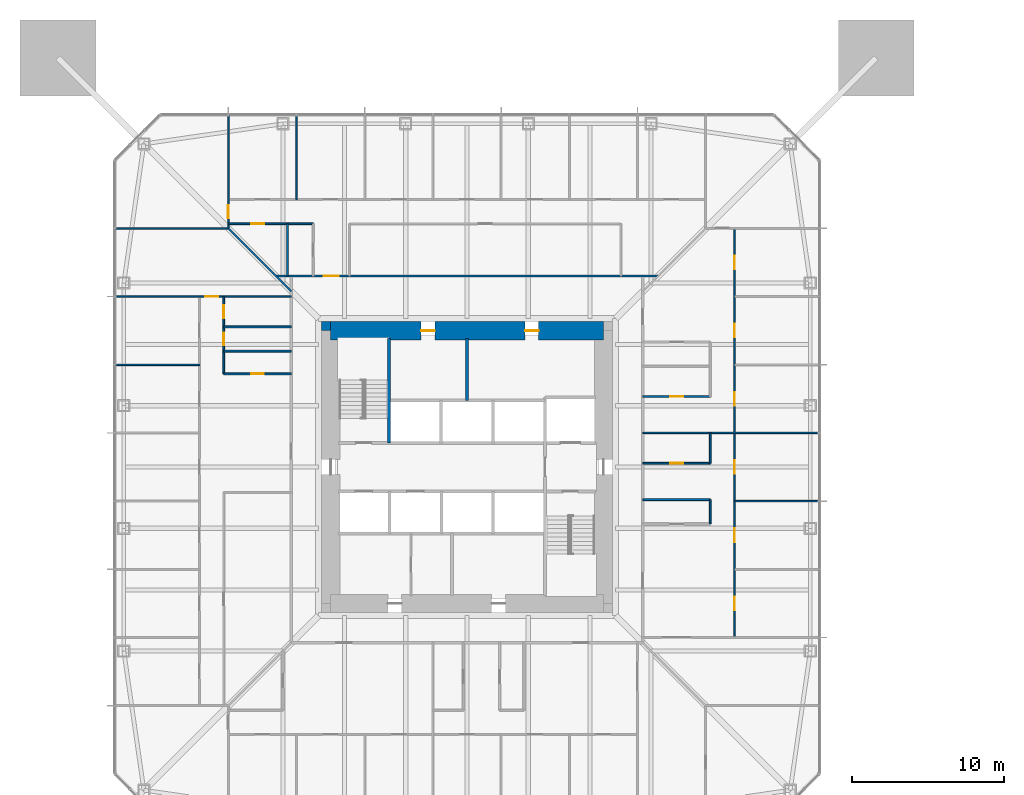
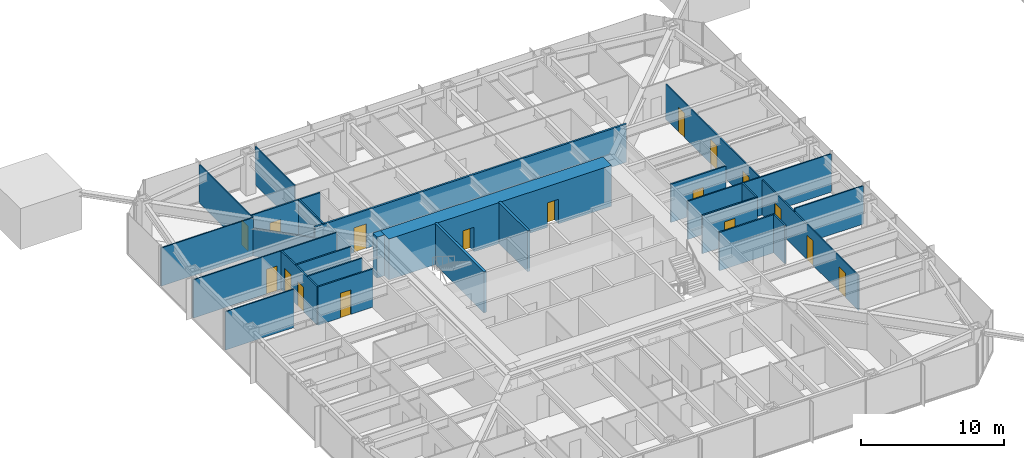
# One storey, part 16 of 26: 25 walls, 17 doors, 17 openings.
"""IFC4 building model written with IfcOpenShell, lengths in metres."""

from ifc_helpers import new_model, si_unit, direction, frame, frame_2d, origin, place, context, subcontext, project, spatial, rectangle, extrude, material, layer, layer_set, type_object, element, fill, save


model = new_model("IFC4")

# Units and contexts
model_context = context("Model", 3, precision=1e-05, world=origin(), true_north=direction((0.0, 1.0)))
body_context = subcontext(model_context, "Body", "Model", "MODEL_VIEW")
ifc_project = project(units=[si_unit("LENGTHUNIT", "METRE"), si_unit("AREAUNIT", "SQUARE_METRE"), si_unit("VOLUMEUNIT", "CUBIC_METRE"), si_unit("PLANEANGLEUNIT", "RADIAN"), si_unit("MASSUNIT", "GRAM", prefix="KILO")], contexts=[model_context])

# Site, building, storey
site_placement = place(None, origin())
site = spatial("IfcSite", under=ifc_project, at=site_placement, CompositionType="ELEMENT")
building_placement = place(site_placement, origin())
building = spatial("IfcBuilding", under=site, at=building_placement, Name="Iwan Alto Co-Living Towers", CompositionType="ELEMENT")
storey_placement = place(building_placement, frame((0.0, 0.0, 36.0)))
storey = spatial("IfcBuildingStorey", under=building, at=storey_placement, Name="L09", CompositionType="ELEMENT", Elevation=36.0)

# Wall, opening, door
ifc_material_1 = material(Name="Gypsum board")
ifc_layer_1 = layer(ifc_material_1, 0.02490234375, Name="Board", Category="Finish")
ifc_material_2 = material(Name="Steel ASTM A1003 ST33H cold-formed studs", Category="steel")
ifc_layer_2 = layer(ifc_material_2, 0.10009765625, Name="Studs", Category="Framing")
ifc_layer_3 = layer(ifc_material_1, 0.02490234375, Name="Board", Category="Finish")
ifc_layer_set_1 = layer_set([ifc_layer_1, ifc_layer_2, ifc_layer_3], Name="CORRIDOR WALL 150")
wall_type_1 = type_object("IfcWallType", Name="CORRIDOR WALL 150", PredefinedType="PARTITIONING", material=ifc_layer_set_1)
wall_1_placement = place(storey_placement, frame((-12.60009765625, 12.60009765625, 0.0), z_axis=(0.0, 0.0, 1.0), x_axis=(1.0, 0.0, 0.0)))
wall_1 = element("IfcWall", 1, at=wall_1_placement, inside=storey, type_object=wall_type_1, Name="Partition L09", PredefinedType="PARTITIONING", context=body_context, shape_type="SweptSolid", body=[
    extrude(rectangle(XDim=25.2001953125, YDim=0.14990234375, at=frame_2d((12.60009765625, 0.0))), origin(), (0.0, 0.0, 1.0), 3.27001953125),
])
opening_1_placement = place(wall_1_placement, frame((3.14990234375, 0.0, 0.0)))
opening_1 = element("IfcOpeningElement", 2, at=opening_1_placement, cuts=wall_1, Name="Opening D3", PredefinedType="OPENING", context=body_context, shape_type="SweptSolid", body=[
    extrude(rectangle(XDim=1.0, YDim=2.10009765625, at=frame_2d((0.5, 1.050048828125))), frame((0.0, 0.0849609375, 0.0), z_axis=(0.0, -1.0, 0.0), x_axis=(1.0, 0.0, 0.0)), (0.0, 0.0, 1.0), 0.169921875),
])
ifc_material_3 = material(Name="Steel frame with timber leaf", Category="steel")
door_type_1 = type_object("IfcDoorType", Name="FLAT ENTRANCE DOOR FD30S 1000X2100", OperationType="SINGLE_SWING_LEFT", PredefinedType="DOOR", material=ifc_material_3)
door_1_placement = place(opening_1_placement, origin())
door_1 = element("IfcDoor", 3, at=door_1_placement, inside=storey, type_object=door_type_1, Name="Cluster lounge door L09", OperationType="SINGLE_SWING_LEFT", OverallHeight=2.10009765625, OverallWidth=1.0, PredefinedType="DOOR", context=body_context, shape_type="SweptSolid", body=[
    extrude(rectangle(XDim=1.0, YDim=2.10009765625, at=frame_2d((0.5, 1.050048828125))), frame((0.0, 0.02490234375, 0.0), z_axis=(0.0, -1.0, 0.0), x_axis=(1.0, 0.0, 0.0)), (0.0, 0.0, 1.0), 0.050048828125),
])
fill(opening_1, door_1)

# Walls
ifc_layer_4 = layer(ifc_material_1, 0.012451171875, Name="Board", Category="Finish")
ifc_layer_5 = layer(ifc_material_2, 0.074951171875, Name="Studs", Category="Framing")
ifc_layer_6 = layer(ifc_material_1, 0.012451171875, Name="Board", Category="Finish")
ifc_layer_set_2 = layer_set([ifc_layer_4, ifc_layer_5, ifc_layer_6], Name="PARTITION 100")
wall_type_2 = type_object("IfcWallType", Name="PARTITION 100", PredefinedType="PARTITIONING", material=ifc_layer_set_2)
wall_2_placement = place(storey_placement, frame((17.64990234375, -2.25, 0.0), z_axis=(0.0, 0.0, 1.0), x_axis=(1.0, 0.0, 0.0)))
element("IfcWall", 4, at=wall_2_placement, inside=storey, type_object=wall_type_2, Name="Partition L09", PredefinedType="PARTITIONING", context=body_context, shape_type="SweptSolid", body=[
    extrude(rectangle(XDim=5.5400390625, YDim=0.10009765625, at=frame_2d((2.77001953125, 0.0))), origin(), (0.0, 0.0, 1.0), 3.27001953125),
])
wall_3_placement = place(storey_placement, frame((11.60009765625, 2.25, 0.0), z_axis=(0.0, 0.0, 1.0), x_axis=(1.0, 0.0, 0.0)))
element("IfcWall", 5, at=wall_3_placement, inside=storey, type_object=wall_type_2, Name="Partition L09", PredefinedType="PARTITIONING", context=body_context, shape_type="SweptSolid", body=[
    extrude(rectangle(XDim=11.58984375, YDim=0.10009765625, at=frame_2d((5.794921875, 0.0))), origin(), (0.0, 0.0, 1.0), 3.27001953125),
])
wall_4_placement = place(storey_placement, frame((-23.18994140625, 6.75, 0.0), z_axis=(0.0, 0.0, 1.0), x_axis=(1.0, 0.0, 0.0)))
element("IfcWall", 6, at=wall_4_placement, inside=storey, type_object=wall_type_2, Name="Partition L09", PredefinedType="PARTITIONING", context=body_context, shape_type="SweptSolid", body=[
    extrude(rectangle(XDim=5.5400390625, YDim=0.10009765625, at=frame_2d((2.77001953125, 0.0))), origin(), (0.0, 0.0, 1.0), 3.27001953125),
])

# Wall, opening, door
wall_5_placement = place(storey_placement, frame((-23.18994140625, 11.25, 0.0), z_axis=(0.0, 0.0, 1.0), x_axis=(1.0, 0.0, 0.0)))
wall_5 = element("IfcWall", 7, at=wall_5_placement, inside=storey, type_object=wall_type_2, Name="Partition L09", PredefinedType="PARTITIONING", context=body_context, shape_type="SweptSolid", body=[
    extrude(rectangle(XDim=11.58984375, YDim=0.10009765625, at=frame_2d((5.794921875, 0.0))), origin(), (0.0, 0.0, 1.0), 3.27001953125),
])
opening_2_placement = place(wall_5_placement, frame((5.9150390625, 0.0, 0.0)))
opening_2 = element("IfcOpeningElement", 8, at=opening_2_placement, cuts=wall_5, Name="Opening D2", PredefinedType="OPENING", context=body_context, shape_type="SweptSolid", body=[
    extrude(rectangle(XDim=0.85009765625, YDim=2.10009765625, at=frame_2d((0.425048828125, 1.050048828125))), frame((0.0, 0.06005859375, 0.0), z_axis=(0.0, -1.0, 0.0), x_axis=(1.0, 0.0, 0.0)), (0.0, 0.0, 1.0), 0.1201171875),
])
ifc_material_4 = material(Name="Timber leaf in steel frame", Category="steel")
door_type_2 = type_object("IfcDoorType", Name="ROOM DOOR 850X2100", OperationType="SINGLE_SWING_LEFT", PredefinedType="DOOR", material=ifc_material_4)
door_2_placement = place(opening_2_placement, frame((0.85009765625, 0.0, 0.0), z_axis=(0.0, 0.0, 1.0), x_axis=(-1.0, 0.0, 0.0)))
door_2 = element("IfcDoor", 9, at=door_2_placement, inside=storey, type_object=door_type_2, Name="Iwan study lounge door L09", OperationType="SINGLE_SWING_RIGHT", OverallHeight=2.10009765625, OverallWidth=0.85009765625, PredefinedType="DOOR", context=body_context, shape_type="SweptSolid", body=[
    extrude(rectangle(XDim=0.85009765625, YDim=2.10009765625, at=frame_2d((0.425048828125, 1.050048828125))), frame((0.0, 0.02490234375, 0.0), z_axis=(0.0, -1.0, 0.0), x_axis=(1.0, 0.0, 0.0)), (0.0, 0.0, 1.0), 0.050048828125),
])
fill(opening_2, door_2)

# Wall
wall_6_placement = place(storey_placement, frame((-23.18994140625, 15.75, 0.0), z_axis=(0.0, 0.0, 1.0), x_axis=(1.0, 0.0, 0.0)))
element("IfcWall", 10, at=wall_6_placement, inside=storey, type_object=wall_type_2, Name="Partition L09", PredefinedType="PARTITIONING", context=body_context, shape_type="SweptSolid", body=[
    extrude(rectangle(XDim=7.43994140625, YDim=0.10009765625, at=frame_2d((3.719970703125, 0.0))), origin(), (0.0, 0.0, 1.0), 3.27001953125),
])

# Wall, openings, doors
wall_7_placement = place(storey_placement, frame((17.64990234375, -11.25, 0.0), z_axis=(0.0, 0.0, 1.0), x_axis=(0.0, 1.0, 0.0)))
wall_7 = element("IfcWall", 11, at=wall_7_placement, inside=storey, type_object=wall_type_2, Name="Partition L09", PredefinedType="PARTITIONING", context=body_context, shape_type="SweptSolid", body=[
    extrude(rectangle(XDim=27.0, YDim=0.10009765625, at=frame_2d((13.5, 0.0))), origin(), (0.0, 0.0, 1.0), 3.0),
])
opening_3_placement = place(wall_7_placement, frame((1.800048828125, 0.0, 0.0)))
opening_3 = element("IfcOpeningElement", 12, at=opening_3_placement, cuts=wall_7, Name="Opening D1", PredefinedType="OPENING", context=body_context, shape_type="SweptSolid", body=[
    extrude(rectangle(XDim=0.89990234375, YDim=2.10009765625, at=frame_2d((0.449951171875, 1.050048828125))), frame((0.0, 0.06005859375, 0.0), z_axis=(0.0, -1.0, 0.0), x_axis=(1.0, 0.0, 0.0)), (0.0, 0.0, 1.0), 0.1201171875),
])
opening_4_placement = place(wall_7_placement, frame((6.300048828125, 0.0, 0.0)))
opening_4 = element("IfcOpeningElement", 13, at=opening_4_placement, cuts=wall_7, Name="Opening D1", PredefinedType="OPENING", context=body_context, shape_type="SweptSolid", body=[
    extrude(rectangle(XDim=0.89990234375, YDim=2.10009765625, at=frame_2d((0.449951171875, 1.050048828125))), frame((0.0, 0.06005859375, 0.0), z_axis=(0.0, -1.0, 0.0), x_axis=(1.0, 0.0, 0.0)), (0.0, 0.0, 1.0), 0.1201171875),
])
opening_5_placement = place(wall_7_placement, frame((10.800048828125, 0.0, 0.0)))
opening_5 = element("IfcOpeningElement", 14, at=opening_5_placement, cuts=wall_7, Name="Opening D1", PredefinedType="OPENING", context=body_context, shape_type="SweptSolid", body=[
    extrude(rectangle(XDim=0.89990234375, YDim=2.10009765625, at=frame_2d((0.449951171875, 1.050048828125))), frame((0.0, 0.06005859375, 0.0), z_axis=(0.0, -1.0, 0.0), x_axis=(1.0, 0.0, 0.0)), (0.0, 0.0, 1.0), 0.1201171875),
])
opening_6_placement = place(wall_7_placement, frame((15.300048828125, 0.0, 0.0)))
opening_6 = element("IfcOpeningElement", 15, at=opening_6_placement, cuts=wall_7, Name="Opening D1", PredefinedType="OPENING", context=body_context, shape_type="SweptSolid", body=[
    extrude(rectangle(XDim=0.89990234375, YDim=2.10009765625, at=frame_2d((0.449951171875, 1.050048828125))), frame((0.0, 0.06005859375, 0.0), z_axis=(0.0, -1.0, 0.0), x_axis=(1.0, 0.0, 0.0)), (0.0, 0.0, 1.0), 0.1201171875),
])
opening_7_placement = place(wall_7_placement, frame((19.800048828125, 0.0, 0.0)))
opening_7 = element("IfcOpeningElement", 16, at=opening_7_placement, cuts=wall_7, Name="Opening D1", PredefinedType="OPENING", context=body_context, shape_type="SweptSolid", body=[
    extrude(rectangle(XDim=0.89990234375, YDim=2.10009765625, at=frame_2d((0.449951171875, 1.050048828125))), frame((0.0, 0.06005859375, 0.0), z_axis=(0.0, -1.0, 0.0), x_axis=(1.0, 0.0, 0.0)), (0.0, 0.0, 1.0), 0.1201171875),
])
opening_8_placement = place(wall_7_placement, frame((24.300048828125, 0.0, 0.0)))
opening_8 = element("IfcOpeningElement", 17, at=opening_8_placement, cuts=wall_7, Name="Opening D1", PredefinedType="OPENING", context=body_context, shape_type="SweptSolid", body=[
    extrude(rectangle(XDim=0.89990234375, YDim=2.10009765625, at=frame_2d((0.449951171875, 1.050048828125))), frame((0.0, 0.06005859375, 0.0), z_axis=(0.0, -1.0, 0.0), x_axis=(1.0, 0.0, 0.0)), (0.0, 0.0, 1.0), 0.1201171875),
])
ifc_material_5 = material(Name="Timber leaf in steel frame", Category="steel")
door_type_3 = type_object("IfcDoorType", Name="BEDROOM DOOR 900X2100", OperationType="SINGLE_SWING_LEFT", PredefinedType="DOOR", material=ifc_material_5)
door_3_placement = place(opening_3_placement, origin())
door_3 = element("IfcDoor", 18, at=door_3_placement, inside=storey, type_object=door_type_3, Name="Study bedroom door L09", OperationType="SINGLE_SWING_LEFT", OverallHeight=2.10009765625, OverallWidth=0.89990234375, PredefinedType="DOOR", context=body_context, shape_type="SweptSolid", body=[
    extrude(rectangle(XDim=0.89990234375, YDim=2.10009765625, at=frame_2d((0.449951171875, 1.050048828125))), frame((0.0, 0.02490234375, 0.0), z_axis=(0.0, -1.0, 0.0), x_axis=(1.0, 0.0, 0.0)), (0.0, 0.0, 1.0), 0.050048828125),
])
fill(opening_3, door_3)
door_4_placement = place(opening_4_placement, origin())
door_4 = element("IfcDoor", 19, at=door_4_placement, inside=storey, type_object=door_type_3, Name="Study bedroom door L09", OperationType="SINGLE_SWING_LEFT", OverallHeight=2.10009765625, OverallWidth=0.89990234375, PredefinedType="DOOR", context=body_context, shape_type="SweptSolid", body=[
    extrude(rectangle(XDim=0.89990234375, YDim=2.10009765625, at=frame_2d((0.449951171875, 1.050048828125))), frame((0.0, 0.02490234375, 0.0), z_axis=(0.0, -1.0, 0.0), x_axis=(1.0, 0.0, 0.0)), (0.0, 0.0, 1.0), 0.050048828125),
])
fill(opening_4, door_4)
door_5_placement = place(opening_5_placement, origin())
door_5 = element("IfcDoor", 20, at=door_5_placement, inside=storey, type_object=door_type_3, Name="Study bedroom door L09", OperationType="SINGLE_SWING_RIGHT", OverallHeight=2.10009765625, OverallWidth=0.89990234375, PredefinedType="DOOR", context=body_context, shape_type="SweptSolid", body=[
    extrude(rectangle(XDim=0.89990234375, YDim=2.10009765625, at=frame_2d((0.449951171875, 1.050048828125))), frame((0.0, 0.02490234375, 0.0), z_axis=(0.0, -1.0, 0.0), x_axis=(1.0, 0.0, 0.0)), (0.0, 0.0, 1.0), 0.050048828125),
])
fill(opening_5, door_5)
door_6_placement = place(opening_6_placement, origin())
door_6 = element("IfcDoor", 21, at=door_6_placement, inside=storey, type_object=door_type_3, Name="Study bedroom door L09", OperationType="SINGLE_SWING_LEFT", OverallHeight=2.10009765625, OverallWidth=0.89990234375, PredefinedType="DOOR", context=body_context, shape_type="SweptSolid", body=[
    extrude(rectangle(XDim=0.89990234375, YDim=2.10009765625, at=frame_2d((0.449951171875, 1.050048828125))), frame((0.0, 0.02490234375, 0.0), z_axis=(0.0, -1.0, 0.0), x_axis=(1.0, 0.0, 0.0)), (0.0, 0.0, 1.0), 0.050048828125),
])
fill(opening_6, door_6)
door_7_placement = place(opening_7_placement, origin())
door_7 = element("IfcDoor", 22, at=door_7_placement, inside=storey, type_object=door_type_3, Name="Study bedroom door L09", OperationType="SINGLE_SWING_LEFT", OverallHeight=2.10009765625, OverallWidth=0.89990234375, PredefinedType="DOOR", context=body_context, shape_type="SweptSolid", body=[
    extrude(rectangle(XDim=0.89990234375, YDim=2.10009765625, at=frame_2d((0.449951171875, 1.050048828125))), frame((0.0, 0.02490234375, 0.0), z_axis=(0.0, -1.0, 0.0), x_axis=(1.0, 0.0, 0.0)), (0.0, 0.0, 1.0), 0.050048828125),
])
fill(opening_7, door_7)
door_8_placement = place(opening_8_placement, origin())
door_8 = element("IfcDoor", 23, at=door_8_placement, inside=storey, type_object=door_type_3, Name="Study bedroom door L09", OperationType="SINGLE_SWING_RIGHT", OverallHeight=2.10009765625, OverallWidth=0.89990234375, PredefinedType="DOOR", context=body_context, shape_type="SweptSolid", body=[
    extrude(rectangle(XDim=0.89990234375, YDim=2.10009765625, at=frame_2d((0.449951171875, 1.050048828125))), frame((0.0, 0.02490234375, 0.0), z_axis=(0.0, -1.0, 0.0), x_axis=(1.0, 0.0, 0.0)), (0.0, 0.0, 1.0), 0.050048828125),
])
fill(opening_8, door_8)

# Wall
wall_8_placement = place(storey_placement, frame((-11.25, 17.64990234375, 0.0), z_axis=(0.0, 0.0, 1.0), x_axis=(0.0, 1.0, 0.0)))
element("IfcWall", 24, at=wall_8_placement, inside=storey, type_object=wall_type_2, Name="Partition L09", PredefinedType="PARTITIONING", context=body_context, shape_type="SweptSolid", body=[
    extrude(rectangle(XDim=5.5400390625, YDim=0.10009765625, at=frame_2d((2.77001953125, 0.0))), origin(), (0.0, 0.0, 1.0), 3.27001953125),
])

# Wall, opening, door
wall_9_placement = place(storey_placement, frame((-15.75, 15.75, 0.0), z_axis=(0.0, 0.0, 1.0), x_axis=(0.0, 1.0, 0.0)))
wall_9 = element("IfcWall", 25, at=wall_9_placement, inside=storey, type_object=wall_type_2, Name="Partition L09", PredefinedType="PARTITIONING", context=body_context, shape_type="SweptSolid", body=[
    extrude(rectangle(XDim=7.43994140625, YDim=0.10009765625, at=frame_2d((3.719970703125, 0.0))), origin(), (0.0, 0.0, 1.0), 3.27001953125),
])
opening_9_placement = place(wall_9_placement, frame((0.675048828125, 0.0, 0.0)))
opening_9 = element("IfcOpeningElement", 26, at=opening_9_placement, cuts=wall_9, Name="Opening D2", PredefinedType="OPENING", context=body_context, shape_type="SweptSolid", body=[
    extrude(rectangle(XDim=0.85009765625, YDim=2.10009765625, at=frame_2d((0.425048828125, 1.050048828125))), frame((0.0, 0.06005859375, 0.0), z_axis=(0.0, -1.0, 0.0), x_axis=(1.0, 0.0, 0.0)), (0.0, 0.0, 1.0), 0.1201171875),
])
door_9_placement = place(opening_9_placement, frame((0.85009765625, 0.0, 0.0), z_axis=(0.0, 0.0, 1.0), x_axis=(-1.0, 0.0, 0.0)))
door_9 = element("IfcDoor", 27, at=door_9_placement, inside=storey, type_object=door_type_2, Name="Shared kitchen and dining room door L09", OperationType="SINGLE_SWING_RIGHT", OverallHeight=2.10009765625, OverallWidth=0.85009765625, PredefinedType="DOOR", context=body_context, shape_type="SweptSolid", body=[
    extrude(rectangle(XDim=0.85009765625, YDim=2.10009765625, at=frame_2d((0.425048828125, 1.050048828125))), frame((0.0, 0.02490234375, 0.0), z_axis=(0.0, -1.0, 0.0), x_axis=(1.0, 0.0, 0.0)), (0.0, 0.0, 1.0), 0.050048828125),
])
fill(opening_9, door_9)

# Walls
ifc_material_6 = material(Name="Concrete f'c 70 MPa", Category="concrete")
ifc_layer_7 = layer(ifc_material_6, 0.199951171875)
ifc_layer_set_3 = layer_set([ifc_layer_7], Name="SHAFT WALL 200")
wall_type_3 = type_object("IfcWallType", Name="SHAFT WALL 200", PredefinedType="SOLIDWALL", material=ifc_layer_set_3)
wall_10_placement = place(storey_placement, frame((0.0, 4.39990234375, 0.0), z_axis=(0.0, 0.0, 1.0), x_axis=(0.0, 1.0, 0.0)))
element("IfcWall", 28, at=wall_10_placement, inside=storey, type_object=wall_type_3, Name="Shaft wall L09", PredefinedType="SOLIDWALL", context=body_context, shape_type="SweptSolid", body=[
    extrude(rectangle(XDim=4.090087890625, YDim=0.199951171875, at=frame_2d((2.044921875, 0.0))), origin(), (0.0, 0.0, 1.0), 3.5),
])
wall_11_placement = place(storey_placement, frame((-5.14990234375, 1.60009765625, 0.0), z_axis=(0.0, 0.0, 1.0), x_axis=(0.0, 1.0, 0.0)))
element("IfcWall", 29, at=wall_11_placement, inside=storey, type_object=wall_type_3, Name="Shaft wall L09", PredefinedType="SOLIDWALL", context=body_context, shape_type="SweptSolid", body=[
    extrude(rectangle(XDim=6.889892578125, YDim=0.199951171875, at=frame_2d((3.44482421875, 0.0))), origin(), (0.0, 0.0, 1.0), 3.5),
])
ifc_material_7 = material(Name="Concrete f'c 70 MPa", Category="concrete")
ifc_layer_8 = layer(ifc_material_7, 0.60009765625)
ifc_layer_set_4 = layer_set([ifc_layer_8], Name="T1 CORE CORNER FILL 600")
wall_type_4 = type_object("IfcWallType", Name="T1 CORE CORNER FILL 600", PredefinedType="SOLIDWALL", material=ifc_layer_set_4)
wall_12_placement = place(storey_placement, frame((-9.60009765625, 9.300048828125, 0.0), z_axis=(0.0, 0.0, 1.0), x_axis=(1.0, 0.0, 0.0)))
element("IfcWall", 30, at=wall_12_placement, inside=storey, type_object=wall_type_4, Name="T1 core corner NW L09", PredefinedType="SOLIDWALL", context=body_context, shape_type="SweptSolid", body=[
    extrude(rectangle(XDim=0.60009765625, YDim=0.60009765625, at=frame_2d((0.300048828125, 0.0))), origin(), (0.0, 0.0, 1.0), 3.5),
])

# Wall, openings, doors
ifc_material_8 = material(Name="Concrete f'c 70 MPa", Category="concrete")
ifc_layer_9 = layer(ifc_material_8, 1.199951171875)
ifc_layer_set_5 = layer_set([ifc_layer_9], Name="T1 CORE WALL 1200")
wall_type_5 = type_object("IfcWallType", Name="T1 CORE WALL 1200", PredefinedType="SHEAR", material=ifc_layer_set_5)
wall_13_placement = place(storey_placement, frame((9.0, 9.0, 0.0), z_axis=(0.0, 0.0, 1.0), x_axis=(-1.0, 0.0, 0.0)))
wall_13 = element("IfcWall", 31, at=wall_13_placement, inside=storey, type_object=wall_type_5, Name="T1 core wall N L09", PredefinedType="SHEAR", context=body_context, shape_type="SweptSolid", body=[
    extrude(rectangle(XDim=18.0, YDim=1.199951171875, at=frame_2d((9.0, 0.0))), origin(), (0.0, 0.0, 1.0), 3.5),
])
opening_10_placement = place(wall_13_placement, frame((11.125, 0.0, 0.0)))
opening_10 = element("IfcOpeningElement", 32, at=opening_10_placement, cuts=wall_13, Name="Opening D8", PredefinedType="OPENING", context=body_context, shape_type="SweptSolid", body=[
    extrude(rectangle(XDim=0.89990234375, YDim=2.10009765625, at=frame_2d((0.449951171875, 1.050048828125))), frame((0.0, 0.60986328125, 0.0), z_axis=(0.0, -1.0, 0.0), x_axis=(1.0, 0.0, 0.0)), (0.0, 0.0, 1.0), 1.219970703125),
])
opening_11_placement = place(wall_13_placement, frame((4.27490234375, 0.0, 0.0)))
opening_11 = element("IfcOpeningElement", 33, at=opening_11_placement, cuts=wall_13, Name="Opening D8", PredefinedType="OPENING", context=body_context, shape_type="SweptSolid", body=[
    extrude(rectangle(XDim=0.89990234375, YDim=2.10009765625, at=frame_2d((0.449951171875, 1.050048828125))), frame((0.0, 0.60986328125, 0.0), z_axis=(0.0, -1.0, 0.0), x_axis=(1.0, 0.0, 0.0)), (0.0, 0.0, 1.0), 1.219970703125),
])
ifc_material_9 = material(Name="Steel frame with timber leaf", Category="steel")
door_type_4 = type_object("IfcDoorType", Name="RISER DOOR FD120 900X2100", OperationType="SINGLE_SWING_LEFT", PredefinedType="DOOR", material=ifc_material_9)
door_10_placement = place(opening_10_placement, origin())
door_10 = element("IfcDoor", 34, at=door_10_placement, inside=storey, type_object=door_type_4, Name="Electrical riser core door L09", OperationType="SINGLE_SWING_RIGHT", OverallHeight=2.10009765625, OverallWidth=0.89990234375, PredefinedType="DOOR", context=body_context, shape_type="SweptSolid", body=[
    extrude(rectangle(XDim=0.89990234375, YDim=2.10009765625, at=frame_2d((0.449951171875, 1.050048828125))), frame((0.0, 0.02490234375, 0.0), z_axis=(0.0, -1.0, 0.0), x_axis=(1.0, 0.0, 0.0)), (0.0, 0.0, 1.0), 0.050048828125),
])
fill(opening_10, door_10)
door_11_placement = place(opening_11_placement, origin())
door_11 = element("IfcDoor", 35, at=door_11_placement, inside=storey, type_object=door_type_4, Name="Water and drainage riser core door L09", OperationType="SINGLE_SWING_RIGHT", OverallHeight=2.10009765625, OverallWidth=0.89990234375, PredefinedType="DOOR", context=body_context, shape_type="SweptSolid", body=[
    extrude(rectangle(XDim=0.89990234375, YDim=2.10009765625, at=frame_2d((0.449951171875, 1.050048828125))), frame((0.0, 0.02490234375, 0.0), z_axis=(0.0, -1.0, 0.0), x_axis=(1.0, 0.0, 0.0)), (0.0, 0.0, 1.0), 0.050048828125),
])
fill(opening_11, door_11)

# Wall
ifc_material_10 = material(Name="Cement board")
ifc_layer_10 = layer(ifc_material_10, 0.012451171875, Name="Board", Category="Finish")
ifc_layer_11 = layer(ifc_material_2, 0.094970703125, Name="Studs", Category="Framing")
ifc_layer_12 = layer(ifc_material_10, 0.012451171875, Name="Board", Category="Finish")
ifc_layer_set_6 = layer_set([ifc_layer_10, ifc_layer_11, ifc_layer_12], Name="WET AREA PARTITION 120")
wall_type_6 = type_object("IfcWallType", Name="WET AREA PARTITION 120", PredefinedType="PARTITIONING", material=ifc_layer_set_6)
wall_14_placement = place(storey_placement, frame((11.60009765625, -2.14990234375, 0.0), z_axis=(0.0, 0.0, 1.0), x_axis=(1.0, 0.0, 0.0)))
element("IfcWall", 36, at=wall_14_placement, inside=storey, type_object=wall_type_6, Name="Partition L09", PredefinedType="PARTITIONING", context=body_context, shape_type="SweptSolid", body=[
    extrude(rectangle(XDim=4.449951171875, YDim=0.1201171875, at=frame_2d((2.22509765625, 0.0))), origin(), (0.0, 0.0, 1.0), 3.27001953125),
])

# Wall, opening, door
wall_15_placement = place(storey_placement, frame((11.60009765625, 0.25, 0.0), z_axis=(0.0, 0.0, 1.0), x_axis=(1.0, 0.0, 0.0)))
wall_15 = element("IfcWall", 37, at=wall_15_placement, inside=storey, type_object=wall_type_6, Name="Partition L09", PredefinedType="PARTITIONING", context=body_context, shape_type="SweptSolid", body=[
    extrude(rectangle(XDim=4.449951171875, YDim=0.1201171875, at=frame_2d((2.22509765625, 0.0))), origin(), (0.0, 0.0, 1.0), 3.27001953125),
])
opening_12_placement = place(wall_15_placement, frame((1.800048828125, 0.0, 0.0)))
opening_12 = element("IfcOpeningElement", 38, at=opening_12_placement, cuts=wall_15, Name="Opening D2", PredefinedType="OPENING", context=body_context, shape_type="SweptSolid", body=[
    extrude(rectangle(XDim=0.85009765625, YDim=2.10009765625, at=frame_2d((0.425048828125, 1.050048828125))), frame((0.0, 0.070068359375, 0.0), z_axis=(0.0, -1.0, 0.0), x_axis=(1.0, 0.0, 0.0)), (0.0, 0.0, 1.0), 0.14013671875),
])
door_12_placement = place(opening_12_placement, frame((0.85009765625, 0.0, 0.0), z_axis=(0.0, 0.0, 1.0), x_axis=(-1.0, 0.0, 0.0)))
door_12 = element("IfcDoor", 39, at=door_12_placement, inside=storey, type_object=door_type_2, Name="Laundry door L09", OperationType="SINGLE_SWING_RIGHT", OverallHeight=2.10009765625, OverallWidth=0.85009765625, PredefinedType="DOOR", context=body_context, shape_type="SweptSolid", body=[
    extrude(rectangle(XDim=0.85009765625, YDim=2.10009765625, at=frame_2d((0.425048828125, 1.050048828125))), frame((0.0, 0.02490234375, 0.0), z_axis=(0.0, -1.0, 0.0), x_axis=(1.0, 0.0, 0.0)), (0.0, 0.0, 1.0), 0.050048828125),
])
fill(opening_12, door_12)

wall_16_placement = place(storey_placement, frame((11.60009765625, 4.64990234375, 0.0), z_axis=(0.0, 0.0, 1.0), x_axis=(1.0, 0.0, 0.0)))
wall_16 = element("IfcWall", 40, at=wall_16_placement, inside=storey, type_object=wall_type_6, Name="Partition L09", PredefinedType="PARTITIONING", context=body_context, shape_type="SweptSolid", body=[
    extrude(rectangle(XDim=4.449951171875, YDim=0.1201171875, at=frame_2d((2.22509765625, 0.0))), origin(), (0.0, 0.0, 1.0), 3.27001953125),
])
opening_13_placement = place(wall_16_placement, frame((1.800048828125, 0.0, 0.0)))
opening_13 = element("IfcOpeningElement", 41, at=opening_13_placement, cuts=wall_16, Name="Opening D2", PredefinedType="OPENING", context=body_context, shape_type="SweptSolid", body=[
    extrude(rectangle(XDim=0.85009765625, YDim=2.10009765625, at=frame_2d((0.425048828125, 1.050048828125))), frame((0.0, 0.070068359375, 0.0), z_axis=(0.0, -1.0, 0.0), x_axis=(1.0, 0.0, 0.0)), (0.0, 0.0, 1.0), 0.14013671875),
])
door_13_placement = place(opening_13_placement, frame((0.85009765625, 0.0, 0.0), z_axis=(0.0, 0.0, 1.0), x_axis=(-1.0, 0.0, 0.0)))
door_13 = element("IfcDoor", 42, at=door_13_placement, inside=storey, type_object=door_type_2, Name="Laundry door L09", OperationType="SINGLE_SWING_RIGHT", OverallHeight=2.10009765625, OverallWidth=0.85009765625, PredefinedType="DOOR", context=body_context, shape_type="SweptSolid", body=[
    extrude(rectangle(XDim=0.85009765625, YDim=2.10009765625, at=frame_2d((0.425048828125, 1.050048828125))), frame((0.0, 0.02490234375, 0.0), z_axis=(0.0, -1.0, 0.0), x_axis=(1.0, 0.0, 0.0)), (0.0, 0.0, 1.0), 0.050048828125),
])
fill(opening_13, door_13)

wall_17_placement = place(storey_placement, frame((-16.050048828125, 6.14990234375, 0.0), z_axis=(0.0, 0.0, 1.0), x_axis=(1.0, 0.0, 0.0)))
wall_17 = element("IfcWall", 43, at=wall_17_placement, inside=storey, type_object=wall_type_6, Name="Partition L09", PredefinedType="PARTITIONING", context=body_context, shape_type="SweptSolid", body=[
    extrude(rectangle(XDim=4.449951171875, YDim=0.1201171875, at=frame_2d((2.22509765625, 0.0))), origin(), (0.0, 0.0, 1.0), 3.27001953125),
])
opening_14_placement = place(wall_17_placement, frame((1.800048828125, 0.0, 0.0)))
opening_14 = element("IfcOpeningElement", 44, at=opening_14_placement, cuts=wall_17, Name="Opening D2", PredefinedType="OPENING", context=body_context, shape_type="SweptSolid", body=[
    extrude(rectangle(XDim=0.85009765625, YDim=2.10009765625, at=frame_2d((0.425048828125, 1.050048828125))), frame((0.0, 0.070068359375, 0.0), z_axis=(0.0, -1.0, 0.0), x_axis=(1.0, 0.0, 0.0)), (0.0, 0.0, 1.0), 0.14013671875),
])
door_14_placement = place(opening_14_placement, frame((0.85009765625, 0.0, 0.0), z_axis=(0.0, 0.0, 1.0), x_axis=(-1.0, 0.0, 0.0)))
door_14 = element("IfcDoor", 45, at=door_14_placement, inside=storey, type_object=door_type_2, Name="Bathroom door L09", OperationType="SINGLE_SWING_LEFT", OverallHeight=2.10009765625, OverallWidth=0.85009765625, PredefinedType="DOOR", context=body_context, shape_type="SweptSolid", body=[
    extrude(rectangle(XDim=0.85009765625, YDim=2.10009765625, at=frame_2d((0.425048828125, 1.050048828125))), frame((0.0, 0.02490234375, 0.0), z_axis=(0.0, -1.0, 0.0), x_axis=(1.0, 0.0, 0.0)), (0.0, 0.0, 1.0), 0.050048828125),
])
fill(opening_14, door_14)

# Walls
for number, where, z_axis, x_axis, name in (
    (46, (-16.050048828125, 7.64990234375, 0.0), (0.0, 0.0, 1.0), (1.0, 0.0, 0.0), "Partition L09"),
    (47, (-16.050048828125, 9.25, 0.0), (0.0, 0.0, 1.0), (1.0, 0.0, 0.0), "Partition L09"),
):
    element("IfcWall", number, at=place(storey_placement, frame(where, z_axis=z_axis, x_axis=x_axis)), inside=storey, type_object=wall_type_6, Name=name, PredefinedType="PARTITIONING", context=body_context, shape_type="SweptSolid", body=[
        extrude(rectangle(XDim=4.449951171875, YDim=0.1201171875, at=frame_2d((2.22509765625, 0.0))), origin(), (0.0, 0.0, 1.0), 3.27001953125),
    ])

# Wall, opening, door
wall_18_placement = place(storey_placement, frame((-15.75, 16.050048828125, 0.0), z_axis=(0.0, 0.0, 1.0), x_axis=(1.0, 0.0, 0.0)))
wall_18 = element("IfcWall", 48, at=wall_18_placement, inside=storey, type_object=wall_type_6, Name="Partition L09", PredefinedType="PARTITIONING", context=body_context, shape_type="SweptSolid", body=[
    extrude(rectangle(XDim=5.60009765625, YDim=0.1201171875, at=frame_2d((2.800048828125, 0.0))), origin(), (0.0, 0.0, 1.0), 3.27001953125),
])
opening_15_placement = place(wall_18_placement, frame((1.52490234375, 0.0, 0.0)))
opening_15 = element("IfcOpeningElement", 49, at=opening_15_placement, cuts=wall_18, Name="Opening D2", PredefinedType="OPENING", context=body_context, shape_type="SweptSolid", body=[
    extrude(rectangle(XDim=0.85009765625, YDim=2.10009765625, at=frame_2d((0.425048828125, 1.050048828125))), frame((0.0, 0.070068359375, 0.0), z_axis=(0.0, -1.0, 0.0), x_axis=(1.0, 0.0, 0.0)), (0.0, 0.0, 1.0), 0.14013671875),
])
door_15_placement = place(opening_15_placement, origin())
door_15 = element("IfcDoor", 50, at=door_15_placement, inside=storey, type_object=door_type_2, Name="Accessible bathroom door L09", OperationType="SINGLE_SWING_LEFT", OverallHeight=2.10009765625, OverallWidth=0.85009765625, PredefinedType="DOOR", context=body_context, shape_type="SweptSolid", body=[
    extrude(rectangle(XDim=0.85009765625, YDim=2.10009765625, at=frame_2d((0.425048828125, 1.050048828125))), frame((0.0, 0.02490234375, 0.0), z_axis=(0.0, -1.0, 0.0), x_axis=(1.0, 0.0, 0.0)), (0.0, 0.0, 1.0), 0.050048828125),
])
fill(opening_15, door_15)

# Walls
wall_19_placement = place(storey_placement, frame((16.050048828125, -3.75, 0.0), z_axis=(0.0, 0.0, 1.0), x_axis=(0.0, 1.0, 0.0)))
element("IfcWall", 51, at=wall_19_placement, inside=storey, type_object=wall_type_6, Name="Partition L09", PredefinedType="PARTITIONING", context=body_context, shape_type="SweptSolid", body=[
    extrude(rectangle(XDim=1.60009765625, YDim=0.1201171875, at=frame_2d((0.800048828125, 0.0))), origin(), (0.0, 0.0, 1.0), 3.27001953125),
])
wall_20_placement = place(storey_placement, frame((16.050048828125, 0.25, 0.0), z_axis=(0.0, 0.0, 1.0), x_axis=(0.0, 1.0, 0.0)))
element("IfcWall", 52, at=wall_20_placement, inside=storey, type_object=wall_type_6, Name="Partition L09", PredefinedType="PARTITIONING", context=body_context, shape_type="SweptSolid", body=[
    extrude(rectangle(XDim=2.0, YDim=0.1201171875, at=frame_2d((1.0, 0.0))), origin(), (0.0, 0.0, 1.0), 3.27001953125),
])
wall_21_placement = place(storey_placement, frame((-11.85009765625, 12.60009765625, 0.0), z_axis=(0.0, 0.0, 1.0), x_axis=(0.0, 1.0, 0.0)))
element("IfcWall", 53, at=wall_21_placement, inside=storey, type_object=wall_type_6, Name="Partition L09", PredefinedType="PARTITIONING", context=body_context, shape_type="SweptSolid", body=[
    extrude(rectangle(XDim=3.449951171875, YDim=0.1201171875, at=frame_2d((1.72509765625, 0.0))), origin(), (0.0, 0.0, 1.0), 3.27001953125),
])

# Wall, openings, doors
wall_22_placement = place(storey_placement, frame((-16.050048828125, 6.14990234375, 0.0), z_axis=(0.0, 0.0, 1.0), x_axis=(0.0, 1.0, 0.0)))
wall_22 = element("IfcWall", 54, at=wall_22_placement, inside=storey, type_object=wall_type_6, Name="Partition L09", PredefinedType="PARTITIONING", context=body_context, shape_type="SweptSolid", body=[
    extrude(rectangle(XDim=5.10009765625, YDim=0.1201171875, at=frame_2d((2.550048828125, 0.0))), origin(), (0.0, 0.0, 1.0), 3.27001953125),
])
opening_16_placement = place(wall_22_placement, frame((3.675048828125, 0.0, 0.0)))
opening_16 = element("IfcOpeningElement", 55, at=opening_16_placement, cuts=wall_22, Name="Opening D2", PredefinedType="OPENING", context=body_context, shape_type="SweptSolid", body=[
    extrude(rectangle(XDim=0.85009765625, YDim=2.10009765625, at=frame_2d((0.425048828125, 1.050048828125))), frame((0.0, 0.070068359375, 0.0), z_axis=(0.0, -1.0, 0.0), x_axis=(1.0, 0.0, 0.0)), (0.0, 0.0, 1.0), 0.14013671875),
])
opening_17_placement = place(wall_22_placement, frame((1.875, 0.0, 0.0)))
opening_17 = element("IfcOpeningElement", 56, at=opening_17_placement, cuts=wall_22, Name="Opening D2", PredefinedType="OPENING", context=body_context, shape_type="SweptSolid", body=[
    extrude(rectangle(XDim=0.85009765625, YDim=2.10009765625, at=frame_2d((0.425048828125, 1.050048828125))), frame((0.0, 0.070068359375, 0.0), z_axis=(0.0, -1.0, 0.0), x_axis=(1.0, 0.0, 0.0)), (0.0, 0.0, 1.0), 0.14013671875),
])
door_16_placement = place(opening_16_placement, origin())
door_16 = element("IfcDoor", 57, at=door_16_placement, inside=storey, type_object=door_type_2, Name="Laundry door L09", OperationType="SINGLE_SWING_RIGHT", OverallHeight=2.10009765625, OverallWidth=0.85009765625, PredefinedType="DOOR", context=body_context, shape_type="SweptSolid", body=[
    extrude(rectangle(XDim=0.85009765625, YDim=2.10009765625, at=frame_2d((0.425048828125, 1.050048828125))), frame((0.0, 0.02490234375, 0.0), z_axis=(0.0, -1.0, 0.0), x_axis=(1.0, 0.0, 0.0)), (0.0, 0.0, 1.0), 0.050048828125),
])
fill(opening_16, door_16)
door_17_placement = place(opening_17_placement, origin())
door_17 = element("IfcDoor", 58, at=door_17_placement, inside=storey, type_object=door_type_2, Name="Accessible bathroom door L09", OperationType="SINGLE_SWING_RIGHT", OverallHeight=2.10009765625, OverallWidth=0.85009765625, PredefinedType="DOOR", context=body_context, shape_type="SweptSolid", body=[
    extrude(rectangle(XDim=0.85009765625, YDim=2.10009765625, at=frame_2d((0.425048828125, 1.050048828125))), frame((0.0, 0.02490234375, 0.0), z_axis=(0.0, -1.0, 0.0), x_axis=(1.0, 0.0, 0.0)), (0.0, 0.0, 1.0), 0.050048828125),
])
fill(opening_17, door_17)

# Wall
wall_23_placement = place(storey_placement, frame((-11.60009765625, 11.60009765625, 0.0), z_axis=(0.0, 0.0, 1.0), x_axis=(-0.707106781187, 0.707106781187, 0.0)))
element("IfcWall", 59, at=wall_23_placement, inside=storey, type_object=wall_type_6, Name="Partition L09", PredefinedType="PARTITIONING", context=body_context, shape_type="SweptSolid", body=[
    extrude(rectangle(XDim=5.868896484375, YDim=0.1201171875, at=frame_2d((2.9345703125, 0.0))), origin(), (0.0, 0.0, 1.0), 2.343017578125),
])

save(model, "model.ifc")
